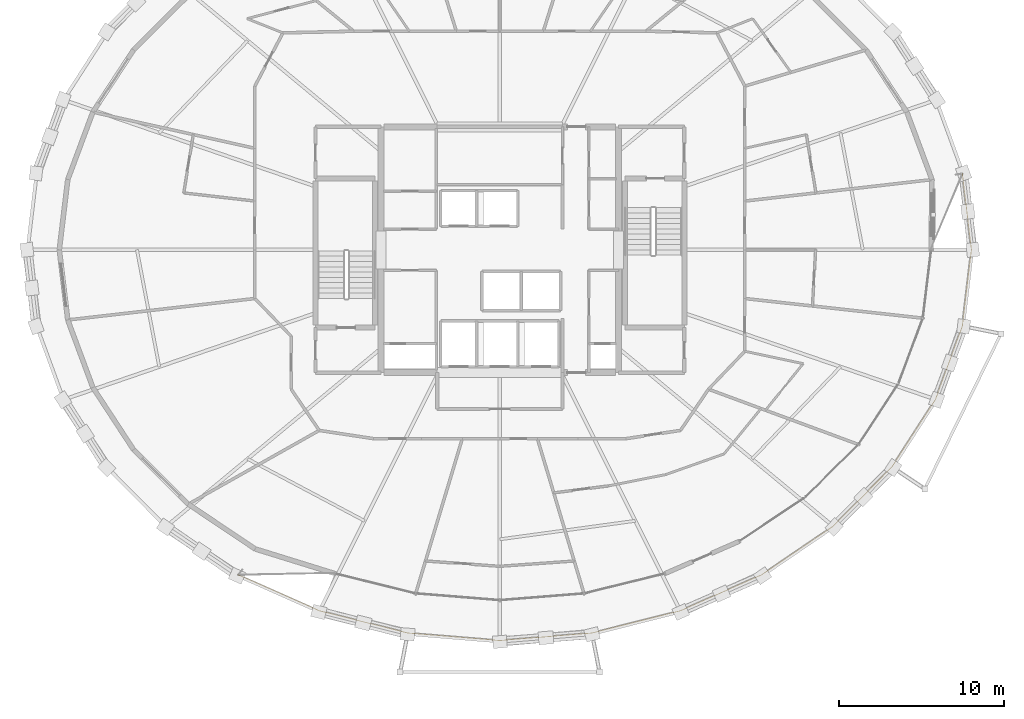
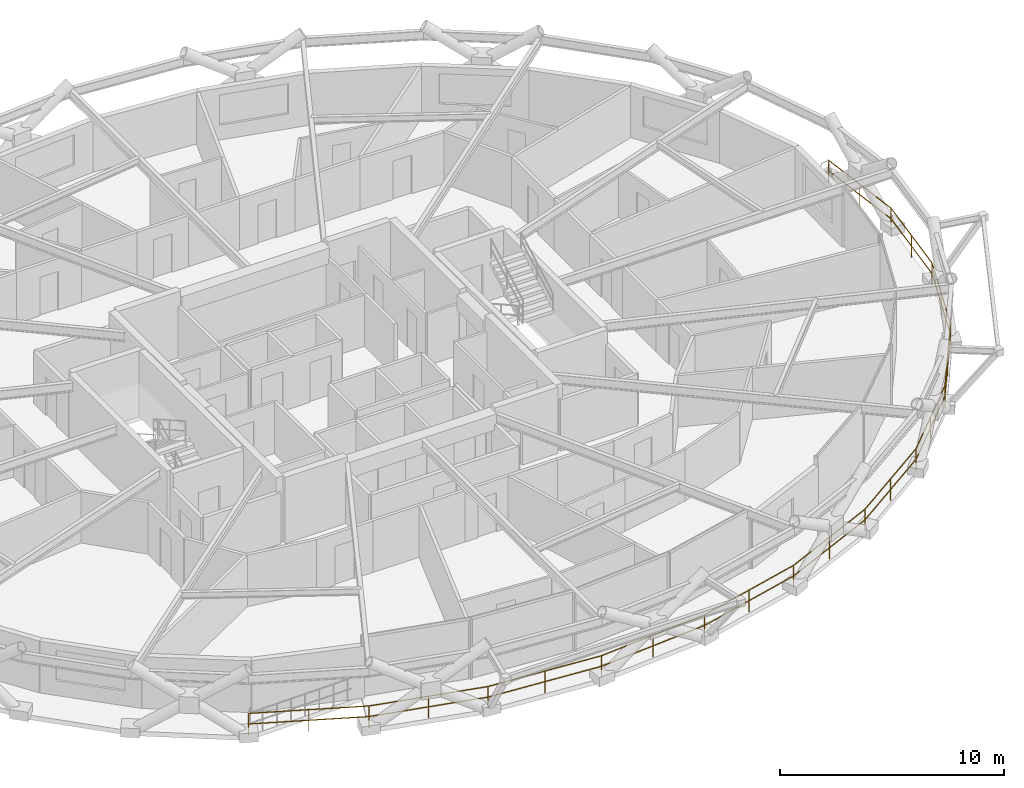
# One storey, part 20 of 21: 1 railing.
"""IFC4 building model written with IfcOpenShell, lengths in metres."""

from ifc_helpers import new_model, si_unit, direction, frame, origin, origin_2d, place, context, subcontext, project, spatial, circle, extrude, material, type_object, element, save


model = new_model("IFC4")

# Units and contexts
model_context = context("Model", 3, precision=1e-05, world=origin(), true_north=direction((0.0, 1.0)))
body_context = subcontext(model_context, "Body", "Model", "MODEL_VIEW")
ifc_project = project(units=[si_unit("LENGTHUNIT", "METRE"), si_unit("AREAUNIT", "SQUARE_METRE"), si_unit("VOLUMEUNIT", "CUBIC_METRE"), si_unit("PLANEANGLEUNIT", "RADIAN"), si_unit("MASSUNIT", "GRAM", prefix="KILO")], contexts=[model_context])

# Site, building, storey
site_placement = place(None, origin())
site = spatial("IfcSite", under=ifc_project, at=site_placement, CompositionType="ELEMENT")
building_placement = place(site_placement, origin())
building = spatial("IfcBuilding", under=site, at=building_placement, Name="Veldorina Hangang Commons", CompositionType="ELEMENT")
storey_placement = place(building_placement, frame((0.0, 0.0, 120.800048828125)))
storey = spatial("IfcBuildingStorey", under=building, at=storey_placement, Name="L30", CompositionType="ELEMENT", Elevation=120.800048828125)

# Railing
ifc_material = material(Name="Glass Laminated Safety Balustrade", Category="glass")
railing_type = type_object("IfcRailingType", Name="RL-BAL-LOGGIA", PredefinedType="BALUSTRADE", material=ifc_material)
railing_placement = place(storey_placement, frame((16.123779296875, 4.30078125, 0.0)))
element("IfcRailing", 1, at=railing_placement, inside=storey, type_object=railing_type, Name="L30 sky-garden loggia outer balustrade", PredefinedType="BALUSTRADE", context=body_context, shape_type="SweptSolid", body=[
    extrude(circle(Radius=0.02392578125, at=origin_2d()), frame((0.0, 0.0, 1.17578125), z_axis=(0.914447573416, -0.40470438035, 0.0), x_axis=(0.40470438035, 0.914447573416, 0.0)), (0.0, 0.0, 1.0), 5.404052734375),
    extrude(circle(Radius=0.02392578125, at=origin_2d()), frame((0.0, 0.0, 0.60009765625), z_axis=(0.914447573416, -0.40470438035, 0.0), x_axis=(0.40470438035, 0.914447573416, 0.0)), (0.0, 0.0, 1.0), 5.404052734375),
    extrude(circle(Radius=0.02392578125, at=origin_2d()), frame((4.941650390625, -2.18701171875, 1.17578125), z_axis=(0.969884717515, -0.243564436507, 0.0), x_axis=(0.243564436507, 0.969884717515, 0.0)), (0.0, 0.0, 1.0), 5.527099609375),
    extrude(circle(Radius=0.02392578125, at=origin_2d()), frame((4.941650390625, -2.18701171875, 0.60009765625), z_axis=(0.969884717515, -0.243564436507, 0.0), x_axis=(0.243564436507, 0.969884717515, 0.0)), (0.0, 0.0, 1.0), 5.527099609375),
    extrude(circle(Radius=0.02392578125, at=origin_2d()), frame((10.30224609375, -3.533203125, 1.17578125), z_axis=(0.996690826145, -0.08128589717, 0.0), x_axis=(0.08128589717, 0.996690826145, 0.0)), (0.0, 0.0, 1.0), 5.592529296875),
    extrude(circle(Radius=0.02392578125, at=origin_2d()), frame((10.30224609375, -3.533203125, 0.60009765625), z_axis=(0.996690826145, -0.08128589717, 0.0), x_axis=(0.08128589717, 0.996690826145, 0.0)), (0.0, 0.0, 1.0), 5.592529296875),
    extrude(circle(Radius=0.02392578125, at=origin_2d()), frame((15.876220703125, -3.98779296875, 1.17578125), z_axis=(0.996690826145, 0.08128589717, 0.0), x_axis=(-0.08128589717, 0.996690826145, 0.0)), (0.0, 0.0, 1.0), 5.592529296875),
    extrude(circle(Radius=0.02392578125, at=origin_2d()), frame((15.876220703125, -3.98779296875, 0.60009765625), z_axis=(0.996690826145, 0.08128589717, 0.0), x_axis=(-0.08128589717, 0.996690826145, 0.0)), (0.0, 0.0, 1.0), 5.592529296875),
    extrude(circle(Radius=0.02392578125, at=origin_2d()), frame((21.4501953125, -3.533203125, 1.17578125), z_axis=(0.969884717515, 0.243564436507, 0.0), x_axis=(-0.243564436507, 0.969884717515, 0.0)), (0.0, 0.0, 1.0), 5.527099609375),
    extrude(circle(Radius=0.02392578125, at=origin_2d()), frame((21.4501953125, -3.533203125, 0.60009765625), z_axis=(0.969884717515, 0.243564436507, 0.0), x_axis=(-0.243564436507, 0.969884717515, 0.0)), (0.0, 0.0, 1.0), 5.527099609375),
    extrude(circle(Radius=0.02392578125, at=origin_2d()), frame((26.810791015625, -2.18701171875, 1.17578125), z_axis=(0.914447573416, 0.40470438035, 0.0), x_axis=(-0.40470438035, 0.914447573416, 0.0)), (0.0, 0.0, 1.0), 5.404052734375),
    extrude(circle(Radius=0.02392578125, at=origin_2d()), frame((26.810791015625, -2.18701171875, 0.60009765625), z_axis=(0.914447573416, 0.40470438035, 0.0), x_axis=(-0.40470438035, 0.914447573416, 0.0)), (0.0, 0.0, 1.0), 5.404052734375),
    extrude(circle(Radius=0.02392578125, at=origin_2d()), frame((31.75244140625, 0.0, 1.17578125), z_axis=(0.827077297251, 0.562088199816, 0.0), x_axis=(-0.562088199816, 0.827077297251, 0.0)), (0.0, 0.0, 1.0), 5.238525390625),
    extrude(circle(Radius=0.02392578125, at=origin_2d()), frame((31.75244140625, 0.0, 0.60009765625), z_axis=(0.827077297251, 0.562088199816, 0.0), x_axis=(-0.562088199816, 0.827077297251, 0.0)), (0.0, 0.0, 1.0), 5.238525390625),
    extrude(circle(Radius=0.02392578125, at=origin_2d()), frame((36.085205078125, 2.944580078125, 1.17578125), z_axis=(0.703862223499, 0.710336519075, 0.0), x_axis=(-0.710336519075, 0.703862223499, 0.0)), (0.0, 0.0, 1.0), 5.052978515625),
    extrude(circle(Radius=0.02392578125, at=origin_2d()), frame((36.085205078125, 2.944580078125, 0.60009765625), z_axis=(0.703862223499, 0.710336519075, 0.0), x_axis=(-0.710336519075, 0.703862223499, 0.0)), (0.0, 0.0, 1.0), 5.052978515625),
    extrude(circle(Radius=0.02392578125, at=origin_2d()), frame((39.641845703125, 6.533935546875, 1.17578125), z_axis=(0.542250054911, 0.840217161184, 0.0), x_axis=(-0.840217161184, 0.542250054911, 0.0)), (0.0, 0.0, 1.0), 4.875244140625),
    extrude(circle(Radius=0.02392578125, at=origin_2d()), frame((39.641845703125, 6.533935546875, 0.60009765625), z_axis=(0.542250054911, 0.840217161184, 0.0), x_axis=(-0.840217161184, 0.542250054911, 0.0)), (0.0, 0.0, 1.0), 4.875244140625),
    extrude(circle(Radius=0.02392578125, at=origin_2d()), frame((42.285400390625, 10.630126953125, 1.17578125), z_axis=(0.343924293192, 0.938997380482, 0.0), x_axis=(-0.938997380482, 0.343924293192, 0.0)), (0.0, 0.0, 1.0), 4.734130859375),
    extrude(circle(Radius=0.02392578125, at=origin_2d()), frame((42.285400390625, 10.630126953125, 0.60009765625), z_axis=(0.343924293192, 0.938997380482, 0.0), x_axis=(-0.938997380482, 0.343924293192, 0.0)), (0.0, 0.0, 1.0), 4.734130859375),
    extrude(circle(Radius=0.02392578125, at=origin_2d()), frame((43.91357421875, 15.075439453125, 1.17578125), z_axis=(0.118024554299, 0.993010676973, 0.0), x_axis=(-0.993010676973, 0.118024554299, 0.0)), (0.0, 0.0, 1.0), 4.65625),
    extrude(circle(Radius=0.02392578125, at=origin_2d()), frame((43.91357421875, 15.075439453125, 0.60009765625), z_axis=(0.118024554299, 0.993010676973, 0.0), x_axis=(-0.993010676973, 0.118024554299, 0.0)), (0.0, 0.0, 1.0), 4.65625),
    extrude(circle(Radius=0.02392578125, at=origin_2d()), frame((44.463134765625, 19.69921875, 1.17578125), z_axis=(-0.118024554299, 0.993010676973, 0.0), x_axis=(-0.993010676973, -0.118024554299, 0.0)), (0.0, 0.0, 1.0), 4.65625),
    extrude(circle(Radius=0.02392578125, at=origin_2d()), frame((44.463134765625, 19.69921875, 0.60009765625), z_axis=(-0.118024554299, 0.993010676973, 0.0), x_axis=(-0.993010676973, -0.118024554299, 0.0)), (0.0, 0.0, 1.0), 4.65625),
    extrude(circle(Radius=0.02099609375, at=origin_2d()), origin(), (0.0, 0.0, 1.0), 1.15185546875),
    extrude(circle(Radius=0.02099609375, at=origin_2d()), frame((2.470703125, -1.093505859375, 0.0)), (0.0, 0.0, 1.0), 1.15185546875),
    extrude(circle(Radius=0.02099609375, at=origin_2d()), frame((4.941650390625, -2.18701171875, 0.0)), (0.0, 0.0, 1.0), 1.15185546875),
    extrude(circle(Radius=0.02099609375, at=origin_2d()), frame((7.6220703125, -2.860107421875, 0.0)), (0.0, 0.0, 1.0), 1.15185546875),
    extrude(circle(Radius=0.02099609375, at=origin_2d()), frame((10.30224609375, -3.533203125, 0.0)), (0.0, 0.0, 1.0), 1.15185546875),
    extrude(circle(Radius=0.02099609375, at=origin_2d()), frame((13.08935546875, -3.760498046875, 0.0)), (0.0, 0.0, 1.0), 1.15185546875),
    extrude(circle(Radius=0.02099609375, at=origin_2d()), frame((15.876220703125, -3.98779296875, 0.0)), (0.0, 0.0, 1.0), 1.15185546875),
    extrude(circle(Radius=0.02099609375, at=origin_2d()), frame((18.6630859375, -3.760498046875, 0.0)), (0.0, 0.0, 1.0), 1.15185546875),
    extrude(circle(Radius=0.02099609375, at=origin_2d()), frame((21.4501953125, -3.533203125, 0.0)), (0.0, 0.0, 1.0), 1.15185546875),
    extrude(circle(Radius=0.02099609375, at=origin_2d()), frame((24.13037109375, -2.860107421875, 0.0)), (0.0, 0.0, 1.0), 1.15185546875),
    extrude(circle(Radius=0.02099609375, at=origin_2d()), frame((26.810791015625, -2.18701171875, 0.0)), (0.0, 0.0, 1.0), 1.15185546875),
    extrude(circle(Radius=0.02099609375, at=origin_2d()), frame((29.28173828125, -1.093505859375, 0.0)), (0.0, 0.0, 1.0), 1.15185546875),
    extrude(circle(Radius=0.02099609375, at=origin_2d()), frame((31.75244140625, 0.0, 0.0)), (0.0, 0.0, 1.0), 1.15185546875),
    extrude(circle(Radius=0.02099609375, at=origin_2d()), frame((33.9189453125, 1.47216796875, 0.0)), (0.0, 0.0, 1.0), 1.15185546875),
    extrude(circle(Radius=0.02099609375, at=origin_2d()), frame((36.085205078125, 2.944580078125, 0.0)), (0.0, 0.0, 1.0), 1.15185546875),
    extrude(circle(Radius=0.02099609375, at=origin_2d()), frame((37.863525390625, 4.7392578125, 0.0)), (0.0, 0.0, 1.0), 1.15185546875),
    extrude(circle(Radius=0.02099609375, at=origin_2d()), frame((39.641845703125, 6.533935546875, 0.0)), (0.0, 0.0, 1.0), 1.15185546875),
    extrude(circle(Radius=0.02099609375, at=origin_2d()), frame((40.963623046875, 8.58203125, 0.0)), (0.0, 0.0, 1.0), 1.15185546875),
    extrude(circle(Radius=0.02099609375, at=origin_2d()), frame((42.285400390625, 10.630126953125, 0.0)), (0.0, 0.0, 1.0), 1.15185546875),
    extrude(circle(Radius=0.02099609375, at=origin_2d()), frame((43.099609375, 12.852783203125, 0.0)), (0.0, 0.0, 1.0), 1.15185546875),
    extrude(circle(Radius=0.02099609375, at=origin_2d()), frame((43.91357421875, 15.075439453125, 0.0)), (0.0, 0.0, 1.0), 1.15185546875),
    extrude(circle(Radius=0.02099609375, at=origin_2d()), frame((44.1884765625, 17.38720703125, 0.0)), (0.0, 0.0, 1.0), 1.15185546875),
    extrude(circle(Radius=0.02099609375, at=origin_2d()), frame((44.463134765625, 19.69921875, 0.0)), (0.0, 0.0, 1.0), 1.15185546875),
    extrude(circle(Radius=0.02099609375, at=origin_2d()), frame((44.1884765625, 22.01123046875, 0.0)), (0.0, 0.0, 1.0), 1.15185546875),
    extrude(circle(Radius=0.02099609375, at=origin_2d()), frame((43.91357421875, 24.322998046875, 0.0)), (0.0, 0.0, 1.0), 1.15185546875),
])

save(model, "model.ifc")
